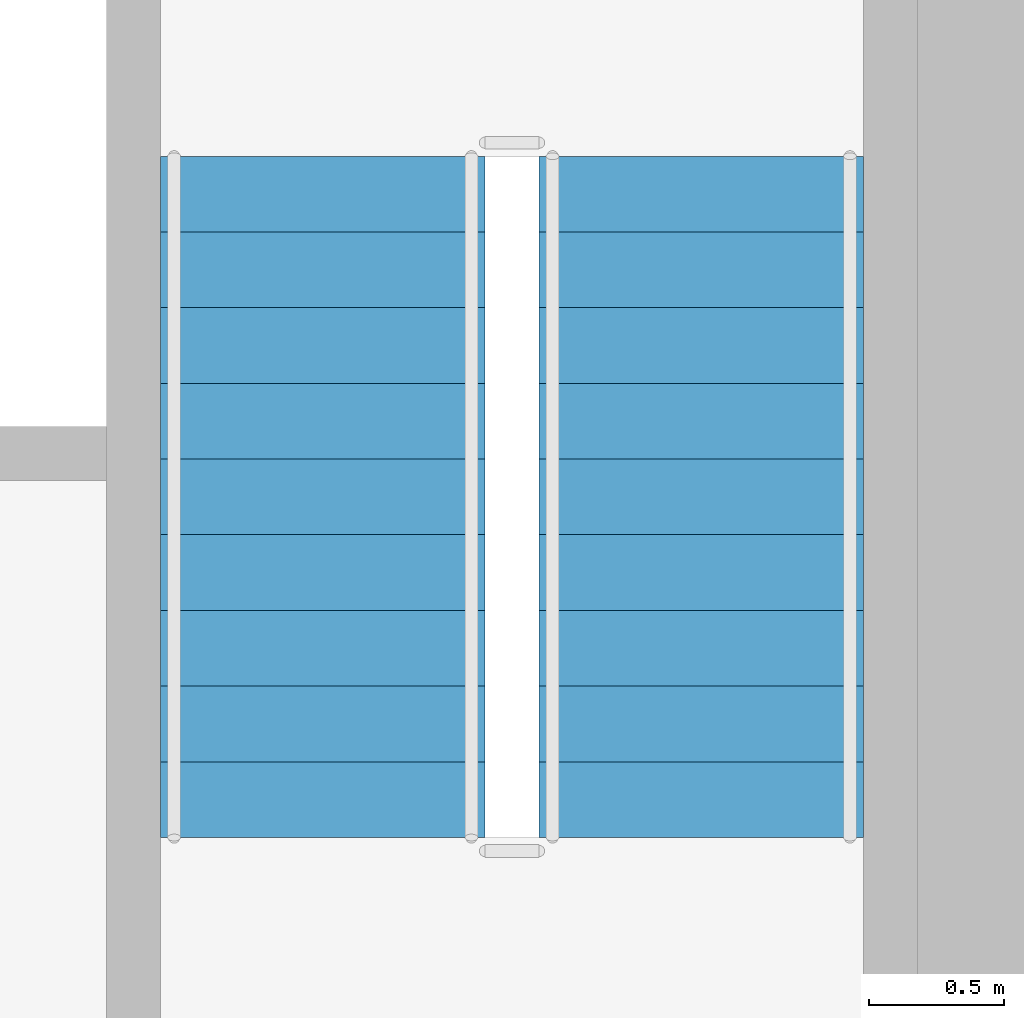
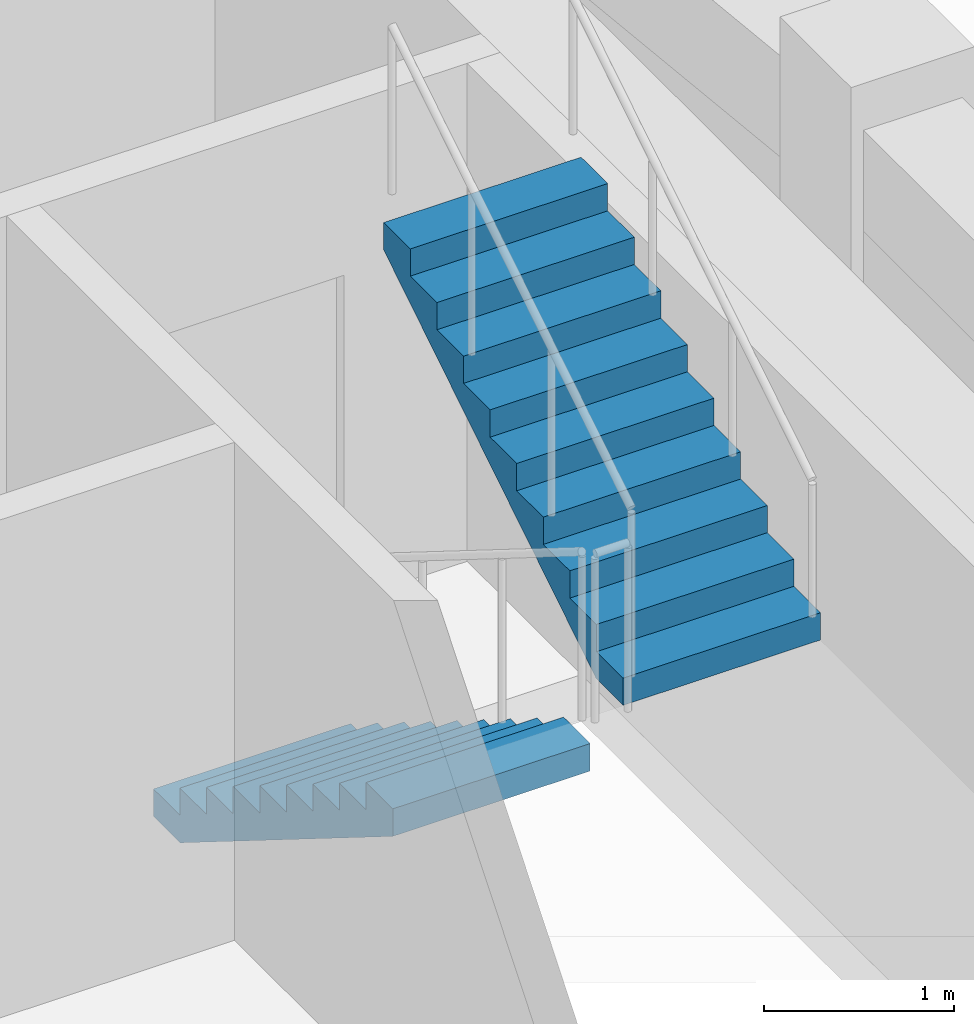
# One storey, part 9 of 16: 2 stair flights, 1 element without a shape of its own.
"""IFC4 building model written with IfcOpenShell, lengths in metres."""

from ifc_helpers import new_model, si_unit, direction, frame, origin, place, context, subcontext, project, spatial, polyline, outline, extrude, material, type_object, element, aggregate, save


model = new_model("IFC4")

# Units and contexts
model_context = context("Model", 3, precision=1e-05, world=origin(), true_north=direction((0.0, 1.0)))
body_context = subcontext(model_context, "Body", "Model", "MODEL_VIEW")
ifc_project = project(units=[si_unit("LENGTHUNIT", "METRE"), si_unit("AREAUNIT", "SQUARE_METRE"), si_unit("VOLUMEUNIT", "CUBIC_METRE"), si_unit("PLANEANGLEUNIT", "RADIAN"), si_unit("MASSUNIT", "GRAM", prefix="KILO")], contexts=[model_context])

# Site, building, storey
site_placement = place(None, origin())
site = spatial("IfcSite", under=ifc_project, at=site_placement, CompositionType="ELEMENT")
building_placement = place(site_placement, origin())
building = spatial("IfcBuilding", under=site, at=building_placement, Name="Kiln Ring Residences", CompositionType="ELEMENT")
storey_placement = place(building_placement, frame((0.0, 0.0, 269.699951171875)))
storey = spatial("IfcBuildingStorey", under=building, at=storey_placement, Name="L70", CompositionType="ELEMENT", Elevation=269.699951171875)

# Stair, stair flights
ifc_material_1 = material(Name="Concrete C40/50", Category="concrete")
stair_type = type_object("IfcStairType", Name="CORE-STAIR", PredefinedType="HALF_TURN_STAIR", material=ifc_material_1)
stair_placement = place(storey_placement, origin())
stair = element("IfcStair", 1, at=stair_placement, inside=storey, type_object=stair_type, Name="L70 stair E-STN", PredefinedType="HALF_TURN_STAIR")
ifc_material_2 = material(Name="Concrete C40/50", Category="concrete")
stair_flight_type = type_object("IfcStairFlightType", Name="CORE-STAIR-FLIGHT", PredefinedType="STRAIGHT", material=ifc_material_2)
stair_flight_1_placement = place(storey_placement, frame((21.39990234375, 8.39990234375, 0.0), z_axis=(0.0, 0.0, 1.0), x_axis=(0.0, -1.0, 0.0)))
stair_flight_1 = element("IfcStairFlight", 2, at=stair_flight_1_placement, type_object=stair_flight_type, Name="E-STN flight 1", NumberOfRisers=10, NumberOfTreads=9, PredefinedType="STRAIGHT", RiserHeight=0.175, TreadLength=0.28, context=body_context, shape_type="SweptSolid", body=[
    extrude(outline(polyline([(0.0, 0.0), (0.0, 0.175048828125), (0.280029296875, 0.175048828125), (0.280029296875, 0.35009765625), (0.56005859375, 0.35009765625), (0.56005859375, 0.52490234375), (0.840087890625, 0.52490234375), (0.840087890625, 0.699951171875), (1.1201171875, 0.699951171875), (1.1201171875, 0.875), (1.39990234375, 0.875), (1.39990234375, 1.050048828125), (1.679931640625, 1.050048828125), (1.679931640625, 1.22509765625), (1.9599609375, 1.22509765625), (1.9599609375, 1.39990234375), (2.239990234375, 1.39990234375), (2.239990234375, 1.574951171875), (2.52001953125, 1.574951171875), (2.52001953125, 1.75), (2.52001953125, 1.398193359375), (0.28271484375, 0.0), (0.0, 0.0)])), frame((0.0, 0.60009765625, 0.0), z_axis=(0.0, -1.0, 0.0), x_axis=(1.0, 0.0, 0.0)), (0.0, 0.0, 1.0), 1.199951171875),
])
stair_flight_2_placement = place(storey_placement, frame((22.800048828125, 5.8798828125, 1.75), z_axis=(0.0, 0.0, 1.0), x_axis=(0.0, 1.0, 0.0)))
stair_flight_2 = element("IfcStairFlight", 3, at=stair_flight_2_placement, type_object=stair_flight_type, Name="E-STN flight 2", NumberOfRisers=10, NumberOfTreads=9, PredefinedType="STRAIGHT", RiserHeight=0.175, TreadLength=0.28, context=body_context, shape_type="SweptSolid", body=[
    extrude(outline(polyline([(0.0, 0.0), (0.0, 0.175048828125), (0.280029296875, 0.175048828125), (0.280029296875, 0.35009765625), (0.56005859375, 0.35009765625), (0.56005859375, 0.52490234375), (0.840087890625, 0.52490234375), (0.840087890625, 0.699951171875), (1.1201171875, 0.699951171875), (1.1201171875, 0.875), (1.39990234375, 0.875), (1.39990234375, 1.050048828125), (1.679931640625, 1.050048828125), (1.679931640625, 1.22509765625), (1.9599609375, 1.22509765625), (1.9599609375, 1.39990234375), (2.239990234375, 1.39990234375), (2.239990234375, 1.574951171875), (2.52001953125, 1.574951171875), (2.52001953125, 1.75), (2.52001953125, 1.398193359375), (0.28271484375, 0.0), (0.0, 0.0)])), frame((0.0, 0.60009765625, 0.0), z_axis=(0.0, -1.0, 0.0), x_axis=(1.0, 0.0, 0.0)), (0.0, 0.0, 1.0), 1.199951171875),
])
aggregate(stair, [stair_flight_1, stair_flight_2])

save(model, "model.ifc")
